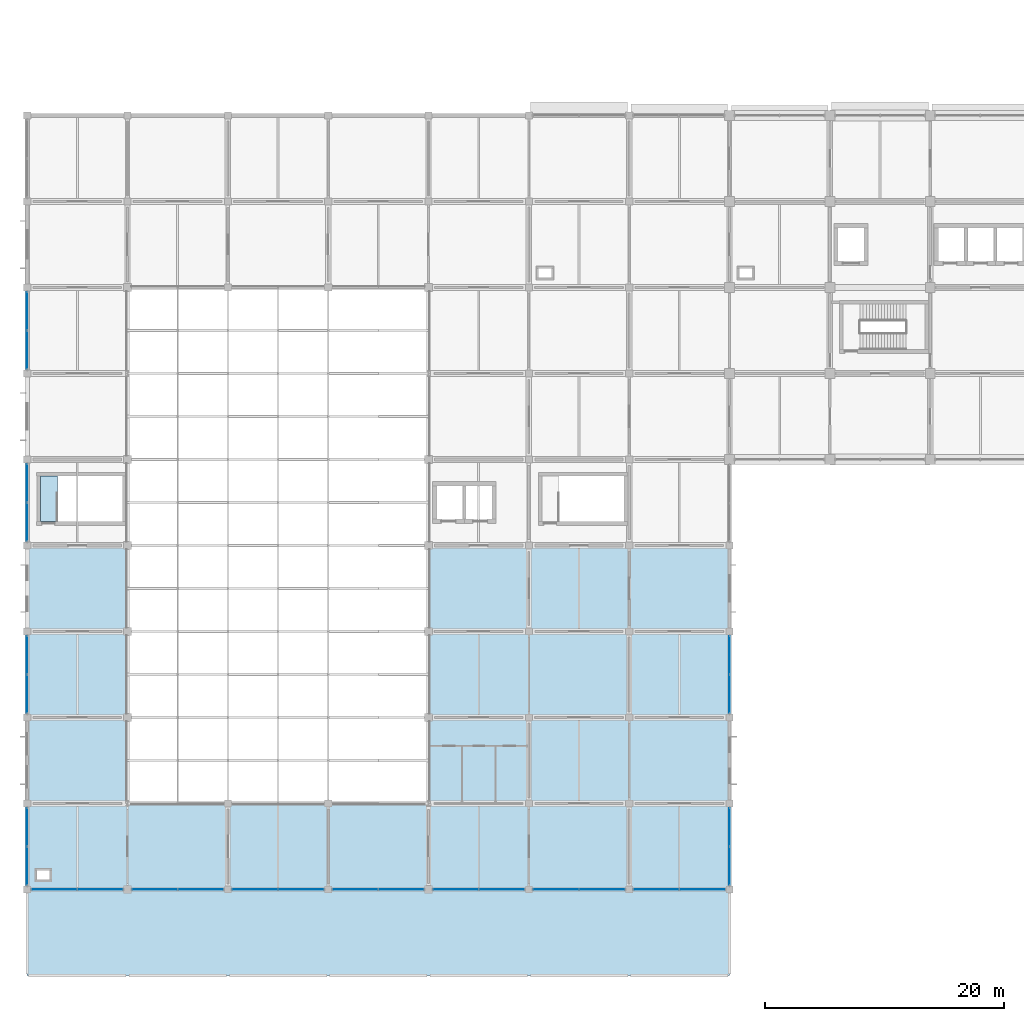
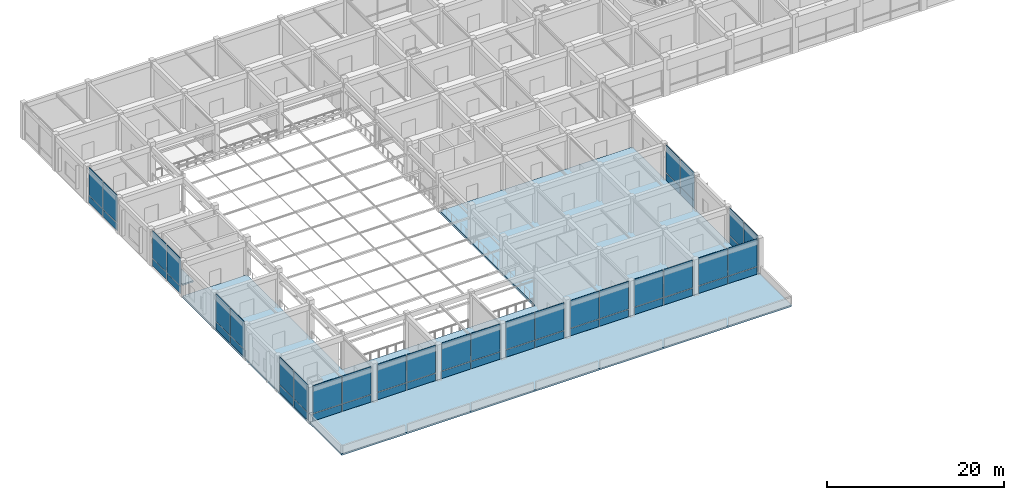
# One storey, part 20 of 38: 52 plates, 3 slabs, 13 elements without a shape of their own.
"""IFC4 building model written with IfcOpenShell, lengths in metres."""

from ifc_helpers import new_model, si_unit, derived_unit, direction, frame, origin, origin_2d, place, context, subcontext, project, spatial, polyline, rectangle, outline, extrude, material, layer, layer_set, type_object, element, aggregate, save


model = new_model("IFC4")

# Units and contexts
model_context = context("Model", 3, precision=1e-05, world=origin(), true_north=direction((0.0, 1.0)))
body_context = subcontext(model_context, "Body", "Model", "MODEL_VIEW")
ifc_project = project(units=[si_unit("LENGTHUNIT", "METRE"), si_unit("AREAUNIT", "SQUARE_METRE"), si_unit("VOLUMEUNIT", "CUBIC_METRE"), si_unit("PLANEANGLEUNIT", "RADIAN"), si_unit("MASSUNIT", "GRAM", prefix="KILO"), derived_unit("THERMALTRANSMITTANCEUNIT", [(si_unit("MASSUNIT", "GRAM", prefix="KILO"), 1), (si_unit("TIMEUNIT", "SECOND"), -3), (si_unit("THERMODYNAMICTEMPERATUREUNIT", "KELVIN"), -1)])], contexts=[model_context])

# Site, building, storey
site_placement = place(None, origin())
site = spatial("IfcSite", under=ifc_project, at=site_placement, CompositionType="ELEMENT")
building_placement = place(site_placement, origin())
building = spatial("IfcBuilding", under=site, at=building_placement, Name="Veldstrom Oceanarium and Marine Research Institute", CompositionType="ELEMENT")
storey_placement = place(building_placement, frame((0.0, 0.0, 16.800048828125)))
storey = spatial("IfcBuildingStorey", under=building, at=storey_placement, Name="L03", CompositionType="ELEMENT", Elevation=16.800048828125)

# Curtain wall, plates
ifc_material_1 = material(Name="Anodised Aluminium Framing", Category="aluminium")
curtain_wall_type_1 = type_object("IfcCurtainWallType", Name="ARC-CW-CW02", PredefinedType="USERDEFINED", material=ifc_material_1)
curtain_wall_1_placement = place(storey_placement, origin())
curtain_wall_1 = element("IfcCurtainWall", 1, at=curtain_wall_1_placement, inside=storey, type_object=curtain_wall_type_1, Name="Curtain Wall CW02 CW-L03-043", ObjectType="Curtain wall", PredefinedType="USERDEFINED")
ifc_material_2 = material(Name="Insulated Aluminium Spandrel", Category="aluminium")
ifc_layer_1 = layer(ifc_material_2, 0.044921875)
ifc_layer_set_1 = layer_set([ifc_layer_1], Name="ARC-PLT-CP02")
plate_type_1 = type_object("IfcPlateType", Name="ARC-PLT-CP02", PredefinedType="CURTAIN_PANEL", material=ifc_layer_set_1)
plate_1_placement = place(storey_placement, frame((10.663818359375, 7.199951171875, 0.02001953125), z_axis=(0.0, 0.0, 1.0), x_axis=(1.0, 0.0, 0.0)))
plate_1 = element("IfcPlate", 2, at=plate_1_placement, type_object=plate_type_1, Name="Curtain Spandrel Panel CW-L03-043-PNL-S1", PredefinedType="CURTAIN_PANEL", context=body_context, shape_type="SweptSolid", body=[
    extrude(rectangle(XDim=3.767578125, YDim=0.044921875, at=origin_2d()), origin(), (0.0, 0.0, 1.0), 0.989990234375),
])
plate_2_placement = place(storey_placement, frame((14.51123046875, 7.199951171875, 0.02001953125), z_axis=(0.0, 0.0, 1.0), x_axis=(1.0, 0.0, 0.0)))
plate_2 = element("IfcPlate", 3, at=plate_2_placement, type_object=plate_type_1, Name="Curtain Spandrel Panel CW-L03-043-PNL-S2", PredefinedType="CURTAIN_PANEL", context=body_context, shape_type="SweptSolid", body=[
    extrude(rectangle(XDim=3.767578125, YDim=0.044921875, at=origin_2d()), origin(), (0.0, 0.0, 1.0), 0.989990234375),
])

curtain_wall_2_placement = place(storey_placement, origin())
curtain_wall_2 = element("IfcCurtainWall", 4, at=curtain_wall_2_placement, inside=storey, type_object=curtain_wall_type_1, Name="Curtain Wall CW02 CW-L03-049", ObjectType="Curtain wall", PredefinedType="USERDEFINED")
plate_3_placement = place(storey_placement, frame((19.0888671875, 7.199951171875, 0.02001953125), z_axis=(0.0, 0.0, 1.0), x_axis=(1.0, 0.0, 0.0)))
plate_3 = element("IfcPlate", 5, at=plate_3_placement, type_object=plate_type_1, Name="Curtain Spandrel Panel CW-L03-049-PNL-S1", PredefinedType="CURTAIN_PANEL", context=body_context, shape_type="SweptSolid", body=[
    extrude(rectangle(XDim=3.767578125, YDim=0.044921875, at=origin_2d()), origin(), (0.0, 0.0, 1.0), 0.989990234375),
])
plate_4_placement = place(storey_placement, frame((22.936279296875, 7.199951171875, 0.02001953125), z_axis=(0.0, 0.0, 1.0), x_axis=(1.0, 0.0, 0.0)))
plate_4 = element("IfcPlate", 6, at=plate_4_placement, type_object=plate_type_1, Name="Curtain Spandrel Panel CW-L03-049-PNL-S2", PredefinedType="CURTAIN_PANEL", context=body_context, shape_type="SweptSolid", body=[
    extrude(rectangle(XDim=3.767578125, YDim=0.044921875, at=origin_2d()), origin(), (0.0, 0.0, 1.0), 0.989990234375),
])

curtain_wall_3_placement = place(storey_placement, origin())
curtain_wall_3 = element("IfcCurtainWall", 7, at=curtain_wall_3_placement, inside=storey, type_object=curtain_wall_type_1, Name="Curtain Wall CW02 CW-L03-050", ObjectType="Curtain wall", PredefinedType="USERDEFINED")
plate_5_placement = place(storey_placement, frame((27.469970703125, 7.199951171875, 0.02001953125), z_axis=(0.0, 0.0, 1.0), x_axis=(1.0, 0.0, 0.0)))
plate_5 = element("IfcPlate", 8, at=plate_5_placement, type_object=plate_type_1, Name="Curtain Spandrel Panel CW-L03-050-PNL-S1", PredefinedType="CURTAIN_PANEL", context=body_context, shape_type="SweptSolid", body=[
    extrude(rectangle(XDim=3.780029296875, YDim=0.044921875, at=origin_2d()), origin(), (0.0, 0.0, 1.0), 0.989990234375),
])
plate_6_placement = place(storey_placement, frame((31.330078125, 7.199951171875, 0.02001953125), z_axis=(0.0, 0.0, 1.0), x_axis=(1.0, 0.0, 0.0)))
plate_6 = element("IfcPlate", 9, at=plate_6_placement, type_object=plate_type_1, Name="Curtain Spandrel Panel CW-L03-050-PNL-S2", PredefinedType="CURTAIN_PANEL", context=body_context, shape_type="SweptSolid", body=[
    extrude(rectangle(XDim=3.780029296875, YDim=0.044921875, at=origin_2d()), origin(), (0.0, 0.0, 1.0), 0.989990234375),
])

curtain_wall_4_placement = place(storey_placement, origin())
curtain_wall_4 = element("IfcCurtainWall", 10, at=curtain_wall_4_placement, inside=storey, type_object=curtain_wall_type_1, Name="Curtain Wall CW02 CW-L03-051", ObjectType="Curtain wall", PredefinedType="USERDEFINED")
plate_7_placement = place(storey_placement, frame((35.86376953125, 7.199951171875, 0.02001953125), z_axis=(0.0, 0.0, 1.0), x_axis=(1.0, 0.0, 0.0)))
plate_7 = element("IfcPlate", 11, at=plate_7_placement, type_object=plate_type_1, Name="Curtain Spandrel Panel CW-L03-051-PNL-S1", PredefinedType="CURTAIN_PANEL", context=body_context, shape_type="SweptSolid", body=[
    extrude(rectangle(XDim=3.767578125, YDim=0.044921875, at=origin_2d()), origin(), (0.0, 0.0, 1.0), 0.989990234375),
])
plate_8_placement = place(storey_placement, frame((39.711181640625, 7.199951171875, 0.02001953125), z_axis=(0.0, 0.0, 1.0), x_axis=(1.0, 0.0, 0.0)))
plate_8 = element("IfcPlate", 12, at=plate_8_placement, type_object=plate_type_1, Name="Curtain Spandrel Panel CW-L03-051-PNL-S2", PredefinedType="CURTAIN_PANEL", context=body_context, shape_type="SweptSolid", body=[
    extrude(rectangle(XDim=3.767578125, YDim=0.044921875, at=origin_2d()), origin(), (0.0, 0.0, 1.0), 0.989990234375),
])

curtain_wall_5_placement = place(storey_placement, origin())
curtain_wall_5 = element("IfcCurtainWall", 13, at=curtain_wall_5_placement, inside=storey, type_object=curtain_wall_type_1, Name="Curtain Wall CW02 CW-L03-052", ObjectType="Curtain wall", PredefinedType="USERDEFINED")
plate_9_placement = place(storey_placement, frame((44.288818359375, 7.199951171875, 0.02001953125), z_axis=(0.0, 0.0, 1.0), x_axis=(1.0, 0.0, 0.0)))
plate_9 = element("IfcPlate", 14, at=plate_9_placement, type_object=plate_type_1, Name="Curtain Spandrel Panel CW-L03-052-PNL-S1", PredefinedType="CURTAIN_PANEL", context=body_context, shape_type="SweptSolid", body=[
    extrude(rectangle(XDim=3.767578125, YDim=0.044921875, at=origin_2d()), origin(), (0.0, 0.0, 1.0), 0.989990234375),
])
plate_10_placement = place(storey_placement, frame((48.13623046875, 7.199951171875, 0.02001953125), z_axis=(0.0, 0.0, 1.0), x_axis=(1.0, 0.0, 0.0)))
plate_10 = element("IfcPlate", 15, at=plate_10_placement, type_object=plate_type_1, Name="Curtain Spandrel Panel CW-L03-052-PNL-S2", PredefinedType="CURTAIN_PANEL", context=body_context, shape_type="SweptSolid", body=[
    extrude(rectangle(XDim=3.767578125, YDim=0.044921875, at=origin_2d()), origin(), (0.0, 0.0, 1.0), 0.989990234375),
])

curtain_wall_6_placement = place(storey_placement, origin())
curtain_wall_6 = element("IfcCurtainWall", 16, at=curtain_wall_6_placement, inside=storey, type_object=curtain_wall_type_1, Name="Curtain Wall CW02 CW-L03-053", ObjectType="Curtain wall", PredefinedType="USERDEFINED")
plate_11_placement = place(storey_placement, frame((52.669921875, 7.199951171875, 0.02001953125), z_axis=(0.0, 0.0, 1.0), x_axis=(1.0, 0.0, 0.0)))
plate_11 = element("IfcPlate", 17, at=plate_11_placement, type_object=plate_type_1, Name="Curtain Spandrel Panel CW-L03-053-PNL-S1", PredefinedType="CURTAIN_PANEL", context=body_context, shape_type="SweptSolid", body=[
    extrude(rectangle(XDim=3.780029296875, YDim=0.044921875, at=origin_2d()), origin(), (0.0, 0.0, 1.0), 0.989990234375),
])
plate_12_placement = place(storey_placement, frame((56.530029296875, 7.199951171875, 0.02001953125), z_axis=(0.0, 0.0, 1.0), x_axis=(1.0, 0.0, 0.0)))
plate_12 = element("IfcPlate", 18, at=plate_12_placement, type_object=plate_type_1, Name="Curtain Spandrel Panel CW-L03-053-PNL-S2", PredefinedType="CURTAIN_PANEL", context=body_context, shape_type="SweptSolid", body=[
    extrude(rectangle(XDim=3.780029296875, YDim=0.044921875, at=origin_2d()), origin(), (0.0, 0.0, 1.0), 0.989990234375),
])

curtain_wall_7_placement = place(storey_placement, origin())
curtain_wall_7 = element("IfcCurtainWall", 19, at=curtain_wall_7_placement, inside=storey, type_object=curtain_wall_type_1, Name="Curtain Wall CW02 CW-L03-055", ObjectType="Curtain wall", PredefinedType="USERDEFINED")
plate_13_placement = place(storey_placement, frame((61.070068359375, 7.199951171875, 0.02001953125), z_axis=(0.0, 0.0, 1.0), x_axis=(1.0, 0.0, 0.0)))
plate_13 = element("IfcPlate", 20, at=plate_13_placement, type_object=plate_type_1, Name="Curtain Spandrel Panel CW-L03-055-PNL-S1", PredefinedType="CURTAIN_PANEL", context=body_context, shape_type="SweptSolid", body=[
    extrude(rectangle(XDim=3.780029296875, YDim=0.044921875, at=origin_2d()), origin(), (0.0, 0.0, 1.0), 0.989990234375),
])
plate_14_placement = place(storey_placement, frame((64.929931640625, 7.199951171875, 0.02001953125), z_axis=(0.0, 0.0, 1.0), x_axis=(1.0, 0.0, 0.0)))
plate_14 = element("IfcPlate", 21, at=plate_14_placement, type_object=plate_type_1, Name="Curtain Spandrel Panel CW-L03-055-PNL-S2", PredefinedType="CURTAIN_PANEL", context=body_context, shape_type="SweptSolid", body=[
    extrude(rectangle(XDim=3.780029296875, YDim=0.044921875, at=origin_2d()), origin(), (0.0, 0.0, 1.0), 0.989990234375),
])

ifc_material_3 = material(Name="Anodised Aluminium Framing", Category="aluminium")
curtain_wall_type_2 = type_object("IfcCurtainWallType", Name="ARC-CW-CW06", PredefinedType="USERDEFINED", material=ifc_material_3)
curtain_wall_8_placement = place(storey_placement, origin())
curtain_wall_8 = element("IfcCurtainWall", 22, at=curtain_wall_8_placement, inside=storey, type_object=curtain_wall_type_2, Name="Curtain Wall CW06 CW-L03-044", ObjectType="Curtain wall", PredefinedType="USERDEFINED")
ifc_material_4 = material(Name="Insulated Aluminium Spandrel", Category="aluminium")
ifc_layer_2 = layer(ifc_material_4, 0.044921875)
ifc_layer_set_2 = layer_set([ifc_layer_2], Name="ARC-PLT-CP06")
plate_type_2 = type_object("IfcPlateType", Name="ARC-PLT-CP06", PredefinedType="CURTAIN_PANEL", material=ifc_layer_set_2)
plate_15_placement = place(storey_placement, frame((8.39990234375, 9.169921875, 0.02001953125), z_axis=(0.0, 0.0, 1.0), x_axis=(0.0, 1.0, 0.0)))
plate_15 = element("IfcPlate", 23, at=plate_15_placement, type_object=plate_type_2, Name="Curtain Spandrel Panel CW-L03-044-PNL-S1", PredefinedType="CURTAIN_PANEL", context=body_context, shape_type="SweptSolid", body=[
    extrude(rectangle(XDim=3.179931640625, YDim=0.044921875, at=origin_2d()), origin(), (0.0, 0.0, 1.0), 0.989990234375),
])
plate_16_placement = place(storey_placement, frame((8.39990234375, 12.429931640625, 0.02001953125), z_axis=(0.0, 0.0, 1.0), x_axis=(0.0, 1.0, 0.0)))
plate_16 = element("IfcPlate", 24, at=plate_16_placement, type_object=plate_type_2, Name="Curtain Spandrel Panel CW-L03-044-PNL-S2", PredefinedType="CURTAIN_PANEL", context=body_context, shape_type="SweptSolid", body=[
    extrude(rectangle(XDim=3.179931640625, YDim=0.044921875, at=origin_2d()), origin(), (0.0, 0.0, 1.0), 0.989990234375),
])

curtain_wall_9_placement = place(storey_placement, origin())
curtain_wall_9 = element("IfcCurtainWall", 25, at=curtain_wall_9_placement, inside=storey, type_object=curtain_wall_type_2, Name="Curtain Wall CW06 CW-L03-045", ObjectType="Curtain wall", PredefinedType="USERDEFINED")
plate_17_placement = place(storey_placement, frame((8.39990234375, 23.570068359375, 0.02001953125), z_axis=(0.0, 0.0, 1.0), x_axis=(0.0, 1.0, 0.0)))
plate_17 = element("IfcPlate", 26, at=plate_17_placement, type_object=plate_type_2, Name="Curtain Spandrel Panel CW-L03-045-PNL-S1", PredefinedType="CURTAIN_PANEL", context=body_context, shape_type="SweptSolid", body=[
    extrude(rectangle(XDim=3.179931640625, YDim=0.044921875, at=origin_2d()), origin(), (0.0, 0.0, 1.0), 0.989990234375),
])
plate_18_placement = place(storey_placement, frame((8.39990234375, 26.830078125, 0.02001953125), z_axis=(0.0, 0.0, 1.0), x_axis=(0.0, 1.0, 0.0)))
plate_18 = element("IfcPlate", 27, at=plate_18_placement, type_object=plate_type_2, Name="Curtain Spandrel Panel CW-L03-045-PNL-S2", PredefinedType="CURTAIN_PANEL", context=body_context, shape_type="SweptSolid", body=[
    extrude(rectangle(XDim=3.179931640625, YDim=0.044921875, at=origin_2d()), origin(), (0.0, 0.0, 1.0), 0.989990234375),
])

curtain_wall_10_placement = place(storey_placement, origin())
curtain_wall_10 = element("IfcCurtainWall", 28, at=curtain_wall_10_placement, inside=storey, type_object=curtain_wall_type_2, Name="Curtain Wall CW06 CW-L03-046", ObjectType="Curtain wall", PredefinedType="USERDEFINED")
plate_19_placement = place(storey_placement, frame((8.39990234375, 37.969970703125, 0.02001953125), z_axis=(0.0, 0.0, 1.0), x_axis=(0.0, 1.0, 0.0)))
plate_19 = element("IfcPlate", 29, at=plate_19_placement, type_object=plate_type_2, Name="Curtain Spandrel Panel CW-L03-046-PNL-S1", PredefinedType="CURTAIN_PANEL", context=body_context, shape_type="SweptSolid", body=[
    extrude(rectangle(XDim=3.179931640625, YDim=0.044921875, at=origin_2d()), origin(), (0.0, 0.0, 1.0), 0.989990234375),
])
plate_20_placement = place(storey_placement, frame((8.39990234375, 41.22998046875, 0.02001953125), z_axis=(0.0, 0.0, 1.0), x_axis=(0.0, 1.0, 0.0)))
plate_20 = element("IfcPlate", 30, at=plate_20_placement, type_object=plate_type_2, Name="Curtain Spandrel Panel CW-L03-046-PNL-S2", PredefinedType="CURTAIN_PANEL", context=body_context, shape_type="SweptSolid", body=[
    extrude(rectangle(XDim=3.179931640625, YDim=0.044921875, at=origin_2d()), origin(), (0.0, 0.0, 1.0), 0.989990234375),
])

curtain_wall_11_placement = place(storey_placement, origin())
curtain_wall_11 = element("IfcCurtainWall", 31, at=curtain_wall_11_placement, inside=storey, type_object=curtain_wall_type_2, Name="Curtain Wall CW06 CW-L03-047", ObjectType="Curtain wall", PredefinedType="USERDEFINED")
plate_21_placement = place(storey_placement, frame((8.39990234375, 52.3701171875, 0.02001953125), z_axis=(0.0, 0.0, 1.0), x_axis=(0.0, 1.0, 0.0)))
plate_21 = element("IfcPlate", 32, at=plate_21_placement, type_object=plate_type_2, Name="Curtain Spandrel Panel CW-L03-047-PNL-S1", PredefinedType="CURTAIN_PANEL", context=body_context, shape_type="SweptSolid", body=[
    extrude(rectangle(XDim=3.179931640625, YDim=0.044921875, at=origin_2d()), origin(), (0.0, 0.0, 1.0), 0.989990234375),
])
plate_22_placement = place(storey_placement, frame((8.39990234375, 55.6298828125, 0.02001953125), z_axis=(0.0, 0.0, 1.0), x_axis=(0.0, 1.0, 0.0)))
plate_22 = element("IfcPlate", 33, at=plate_22_placement, type_object=plate_type_2, Name="Curtain Spandrel Panel CW-L03-047-PNL-S2", PredefinedType="CURTAIN_PANEL", context=body_context, shape_type="SweptSolid", body=[
    extrude(rectangle(XDim=3.179931640625, YDim=0.044921875, at=origin_2d()), origin(), (0.0, 0.0, 1.0), 0.989990234375),
])

curtain_wall_12_placement = place(storey_placement, origin())
curtain_wall_12 = element("IfcCurtainWall", 34, at=curtain_wall_12_placement, inside=storey, type_object=curtain_wall_type_2, Name="Curtain Wall CW06 CW-L03-056", ObjectType="Curtain wall", PredefinedType="USERDEFINED")
plate_23_placement = place(storey_placement, frame((67.199951171875, 9.169921875, 0.02001953125), z_axis=(0.0, 0.0, 1.0), x_axis=(0.0, 1.0, 0.0)))
plate_23 = element("IfcPlate", 35, at=plate_23_placement, type_object=plate_type_2, Name="Curtain Spandrel Panel CW-L03-056-PNL-S1", PredefinedType="CURTAIN_PANEL", context=body_context, shape_type="SweptSolid", body=[
    extrude(rectangle(XDim=3.179931640625, YDim=0.044921875, at=origin_2d()), origin(), (0.0, 0.0, 1.0), 0.989990234375),
])
plate_24_placement = place(storey_placement, frame((67.199951171875, 12.429931640625, 0.02001953125), z_axis=(0.0, 0.0, 1.0), x_axis=(0.0, 1.0, 0.0)))
plate_24 = element("IfcPlate", 36, at=plate_24_placement, type_object=plate_type_2, Name="Curtain Spandrel Panel CW-L03-056-PNL-S2", PredefinedType="CURTAIN_PANEL", context=body_context, shape_type="SweptSolid", body=[
    extrude(rectangle(XDim=3.179931640625, YDim=0.044921875, at=origin_2d()), origin(), (0.0, 0.0, 1.0), 0.989990234375),
])

curtain_wall_13_placement = place(storey_placement, origin())
curtain_wall_13 = element("IfcCurtainWall", 37, at=curtain_wall_13_placement, inside=storey, type_object=curtain_wall_type_2, Name="Curtain Wall CW06 CW-L03-057", ObjectType="Curtain wall", PredefinedType="USERDEFINED")
plate_25_placement = place(storey_placement, frame((67.199951171875, 23.570068359375, 0.02001953125), z_axis=(0.0, 0.0, 1.0), x_axis=(0.0, 1.0, 0.0)))
plate_25 = element("IfcPlate", 38, at=plate_25_placement, type_object=plate_type_2, Name="Curtain Spandrel Panel CW-L03-057-PNL-S1", PredefinedType="CURTAIN_PANEL", context=body_context, shape_type="SweptSolid", body=[
    extrude(rectangle(XDim=3.179931640625, YDim=0.044921875, at=origin_2d()), origin(), (0.0, 0.0, 1.0), 0.989990234375),
])
plate_26_placement = place(storey_placement, frame((67.199951171875, 26.830078125, 0.02001953125), z_axis=(0.0, 0.0, 1.0), x_axis=(0.0, 1.0, 0.0)))
plate_26 = element("IfcPlate", 39, at=plate_26_placement, type_object=plate_type_2, Name="Curtain Spandrel Panel CW-L03-057-PNL-S2", PredefinedType="CURTAIN_PANEL", context=body_context, shape_type="SweptSolid", body=[
    extrude(rectangle(XDim=3.179931640625, YDim=0.044921875, at=origin_2d()), origin(), (0.0, 0.0, 1.0), 0.989990234375),
])

# Plate
ifc_material_5 = material(Name="Double Glazed Low-E IGU", Category="glass")
ifc_layer_3 = layer(ifc_material_5, 0.035888671875)
ifc_layer_set_3 = layer_set([ifc_layer_3], Name="ARC-PLT-CP09")
plate_type_3 = type_object("IfcPlateType", Name="ARC-PLT-CP09", PredefinedType="CURTAIN_PANEL", material=ifc_layer_set_3)
plate_27_placement = place(storey_placement, frame((10.663818359375, 7.199951171875, 1.08984375), z_axis=(0.0, 0.0, 1.0), x_axis=(1.0, 0.0, 0.0)))
plate_27 = element("IfcPlate", 40, at=plate_27_placement, type_object=plate_type_3, Name="Curtain Vision Panel CW-L03-043-PNL-V1", PredefinedType="CURTAIN_PANEL", context=body_context, shape_type="SweptSolid", body=[
    extrude(rectangle(XDim=3.767578125, YDim=0.035888671875, at=origin_2d()), origin(), (0.0, 0.0, 1.0), 3.840087890625),
])

plate_28_placement = place(storey_placement, frame((14.51123046875, 7.199951171875, 1.08984375), z_axis=(0.0, 0.0, 1.0), x_axis=(1.0, 0.0, 0.0)))
plate_28 = element("IfcPlate", 41, at=plate_28_placement, type_object=plate_type_3, Name="Curtain Vision Panel CW-L03-043-PNL-V2", PredefinedType="CURTAIN_PANEL", context=body_context, shape_type="SweptSolid", body=[
    extrude(rectangle(XDim=3.767578125, YDim=0.035888671875, at=origin_2d()), origin(), (0.0, 0.0, 1.0), 3.840087890625),
])

aggregate(curtain_wall_1, [plate_1, plate_27, plate_2, plate_28])

plate_29_placement = place(storey_placement, frame((19.0888671875, 7.199951171875, 1.08984375), z_axis=(0.0, 0.0, 1.0), x_axis=(1.0, 0.0, 0.0)))
plate_29 = element("IfcPlate", 42, at=plate_29_placement, type_object=plate_type_3, Name="Curtain Vision Panel CW-L03-049-PNL-V1", PredefinedType="CURTAIN_PANEL", context=body_context, shape_type="SweptSolid", body=[
    extrude(rectangle(XDim=3.767578125, YDim=0.035888671875, at=origin_2d()), origin(), (0.0, 0.0, 1.0), 3.840087890625),
])

plate_30_placement = place(storey_placement, frame((22.936279296875, 7.199951171875, 1.08984375), z_axis=(0.0, 0.0, 1.0), x_axis=(1.0, 0.0, 0.0)))
plate_30 = element("IfcPlate", 43, at=plate_30_placement, type_object=plate_type_3, Name="Curtain Vision Panel CW-L03-049-PNL-V2", PredefinedType="CURTAIN_PANEL", context=body_context, shape_type="SweptSolid", body=[
    extrude(rectangle(XDim=3.767578125, YDim=0.035888671875, at=origin_2d()), origin(), (0.0, 0.0, 1.0), 3.840087890625),
])

aggregate(curtain_wall_2, [plate_3, plate_29, plate_4, plate_30])

plate_31_placement = place(storey_placement, frame((27.469970703125, 7.199951171875, 1.08984375), z_axis=(0.0, 0.0, 1.0), x_axis=(1.0, 0.0, 0.0)))
plate_31 = element("IfcPlate", 44, at=plate_31_placement, type_object=plate_type_3, Name="Curtain Vision Panel CW-L03-050-PNL-V1", PredefinedType="CURTAIN_PANEL", context=body_context, shape_type="SweptSolid", body=[
    extrude(rectangle(XDim=3.780029296875, YDim=0.035888671875, at=origin_2d()), origin(), (0.0, 0.0, 1.0), 3.840087890625),
])

plate_32_placement = place(storey_placement, frame((31.330078125, 7.199951171875, 1.08984375), z_axis=(0.0, 0.0, 1.0), x_axis=(1.0, 0.0, 0.0)))
plate_32 = element("IfcPlate", 45, at=plate_32_placement, type_object=plate_type_3, Name="Curtain Vision Panel CW-L03-050-PNL-V2", PredefinedType="CURTAIN_PANEL", context=body_context, shape_type="SweptSolid", body=[
    extrude(rectangle(XDim=3.780029296875, YDim=0.035888671875, at=origin_2d()), origin(), (0.0, 0.0, 1.0), 3.840087890625),
])

aggregate(curtain_wall_3, [plate_5, plate_31, plate_6, plate_32])

plate_33_placement = place(storey_placement, frame((35.86376953125, 7.199951171875, 1.08984375), z_axis=(0.0, 0.0, 1.0), x_axis=(1.0, 0.0, 0.0)))
plate_33 = element("IfcPlate", 46, at=plate_33_placement, type_object=plate_type_3, Name="Curtain Vision Panel CW-L03-051-PNL-V1", PredefinedType="CURTAIN_PANEL", context=body_context, shape_type="SweptSolid", body=[
    extrude(rectangle(XDim=3.767578125, YDim=0.035888671875, at=origin_2d()), origin(), (0.0, 0.0, 1.0), 3.840087890625),
])

plate_34_placement = place(storey_placement, frame((39.711181640625, 7.199951171875, 1.08984375), z_axis=(0.0, 0.0, 1.0), x_axis=(1.0, 0.0, 0.0)))
plate_34 = element("IfcPlate", 47, at=plate_34_placement, type_object=plate_type_3, Name="Curtain Vision Panel CW-L03-051-PNL-V2", PredefinedType="CURTAIN_PANEL", context=body_context, shape_type="SweptSolid", body=[
    extrude(rectangle(XDim=3.767578125, YDim=0.035888671875, at=origin_2d()), origin(), (0.0, 0.0, 1.0), 3.840087890625),
])

aggregate(curtain_wall_4, [plate_7, plate_33, plate_8, plate_34])

plate_35_placement = place(storey_placement, frame((44.288818359375, 7.199951171875, 1.08984375), z_axis=(0.0, 0.0, 1.0), x_axis=(1.0, 0.0, 0.0)))
plate_35 = element("IfcPlate", 48, at=plate_35_placement, type_object=plate_type_3, Name="Curtain Vision Panel CW-L03-052-PNL-V1", PredefinedType="CURTAIN_PANEL", context=body_context, shape_type="SweptSolid", body=[
    extrude(rectangle(XDim=3.767578125, YDim=0.035888671875, at=origin_2d()), origin(), (0.0, 0.0, 1.0), 3.840087890625),
])

plate_36_placement = place(storey_placement, frame((48.13623046875, 7.199951171875, 1.08984375), z_axis=(0.0, 0.0, 1.0), x_axis=(1.0, 0.0, 0.0)))
plate_36 = element("IfcPlate", 49, at=plate_36_placement, type_object=plate_type_3, Name="Curtain Vision Panel CW-L03-052-PNL-V2", PredefinedType="CURTAIN_PANEL", context=body_context, shape_type="SweptSolid", body=[
    extrude(rectangle(XDim=3.767578125, YDim=0.035888671875, at=origin_2d()), origin(), (0.0, 0.0, 1.0), 3.840087890625),
])

aggregate(curtain_wall_5, [plate_9, plate_35, plate_10, plate_36])

plate_37_placement = place(storey_placement, frame((52.669921875, 7.199951171875, 1.08984375), z_axis=(0.0, 0.0, 1.0), x_axis=(1.0, 0.0, 0.0)))
plate_37 = element("IfcPlate", 50, at=plate_37_placement, type_object=plate_type_3, Name="Curtain Vision Panel CW-L03-053-PNL-V1", PredefinedType="CURTAIN_PANEL", context=body_context, shape_type="SweptSolid", body=[
    extrude(rectangle(XDim=3.780029296875, YDim=0.035888671875, at=origin_2d()), origin(), (0.0, 0.0, 1.0), 3.840087890625),
])

plate_38_placement = place(storey_placement, frame((56.530029296875, 7.199951171875, 1.08984375), z_axis=(0.0, 0.0, 1.0), x_axis=(1.0, 0.0, 0.0)))
plate_38 = element("IfcPlate", 51, at=plate_38_placement, type_object=plate_type_3, Name="Curtain Vision Panel CW-L03-053-PNL-V2", PredefinedType="CURTAIN_PANEL", context=body_context, shape_type="SweptSolid", body=[
    extrude(rectangle(XDim=3.780029296875, YDim=0.035888671875, at=origin_2d()), origin(), (0.0, 0.0, 1.0), 3.840087890625),
])

aggregate(curtain_wall_6, [plate_11, plate_37, plate_12, plate_38])

plate_39_placement = place(storey_placement, frame((61.070068359375, 7.199951171875, 1.08984375), z_axis=(0.0, 0.0, 1.0), x_axis=(1.0, 0.0, 0.0)))
plate_39 = element("IfcPlate", 52, at=plate_39_placement, type_object=plate_type_3, Name="Curtain Vision Panel CW-L03-055-PNL-V1", PredefinedType="CURTAIN_PANEL", context=body_context, shape_type="SweptSolid", body=[
    extrude(rectangle(XDim=3.780029296875, YDim=0.035888671875, at=origin_2d()), origin(), (0.0, 0.0, 1.0), 3.840087890625),
])

plate_40_placement = place(storey_placement, frame((64.929931640625, 7.199951171875, 1.08984375), z_axis=(0.0, 0.0, 1.0), x_axis=(1.0, 0.0, 0.0)))
plate_40 = element("IfcPlate", 53, at=plate_40_placement, type_object=plate_type_3, Name="Curtain Vision Panel CW-L03-055-PNL-V2", PredefinedType="CURTAIN_PANEL", context=body_context, shape_type="SweptSolid", body=[
    extrude(rectangle(XDim=3.780029296875, YDim=0.035888671875, at=origin_2d()), origin(), (0.0, 0.0, 1.0), 3.840087890625),
])

aggregate(curtain_wall_7, [plate_13, plate_39, plate_14, plate_40])

ifc_material_6 = material(Name="Double Glazed Low-E IGU", Category="glass")
ifc_layer_4 = layer(ifc_material_6, 0.035888671875)
ifc_layer_set_4 = layer_set([ifc_layer_4], Name="ARC-PLT-CP10")
plate_type_4 = type_object("IfcPlateType", Name="ARC-PLT-CP10", PredefinedType="CURTAIN_PANEL", material=ifc_layer_set_4)
plate_41_placement = place(storey_placement, frame((8.39990234375, 9.169921875, 1.08984375), z_axis=(0.0, 0.0, 1.0), x_axis=(0.0, 1.0, 0.0)))
plate_41 = element("IfcPlate", 54, at=plate_41_placement, type_object=plate_type_4, Name="Curtain Vision Panel CW-L03-044-PNL-V1", PredefinedType="CURTAIN_PANEL", context=body_context, shape_type="SweptSolid", body=[
    extrude(rectangle(XDim=3.179931640625, YDim=0.035888671875, at=origin_2d()), origin(), (0.0, 0.0, 1.0), 3.840087890625),
])

plate_42_placement = place(storey_placement, frame((8.39990234375, 12.429931640625, 1.08984375), z_axis=(0.0, 0.0, 1.0), x_axis=(0.0, 1.0, 0.0)))
plate_42 = element("IfcPlate", 55, at=plate_42_placement, type_object=plate_type_4, Name="Curtain Vision Panel CW-L03-044-PNL-V2", PredefinedType="CURTAIN_PANEL", context=body_context, shape_type="SweptSolid", body=[
    extrude(rectangle(XDim=3.179931640625, YDim=0.035888671875, at=origin_2d()), origin(), (0.0, 0.0, 1.0), 3.840087890625),
])

aggregate(curtain_wall_8, [plate_15, plate_41, plate_16, plate_42])

plate_43_placement = place(storey_placement, frame((8.39990234375, 23.570068359375, 1.08984375), z_axis=(0.0, 0.0, 1.0), x_axis=(0.0, 1.0, 0.0)))
plate_43 = element("IfcPlate", 56, at=plate_43_placement, type_object=plate_type_4, Name="Curtain Vision Panel CW-L03-045-PNL-V1", PredefinedType="CURTAIN_PANEL", context=body_context, shape_type="SweptSolid", body=[
    extrude(rectangle(XDim=3.179931640625, YDim=0.035888671875, at=origin_2d()), origin(), (0.0, 0.0, 1.0), 3.840087890625),
])

plate_44_placement = place(storey_placement, frame((8.39990234375, 26.830078125, 1.08984375), z_axis=(0.0, 0.0, 1.0), x_axis=(0.0, 1.0, 0.0)))
plate_44 = element("IfcPlate", 57, at=plate_44_placement, type_object=plate_type_4, Name="Curtain Vision Panel CW-L03-045-PNL-V2", PredefinedType="CURTAIN_PANEL", context=body_context, shape_type="SweptSolid", body=[
    extrude(rectangle(XDim=3.179931640625, YDim=0.035888671875, at=origin_2d()), origin(), (0.0, 0.0, 1.0), 3.840087890625),
])

aggregate(curtain_wall_9, [plate_17, plate_43, plate_18, plate_44])

plate_45_placement = place(storey_placement, frame((8.39990234375, 37.969970703125, 1.08984375), z_axis=(0.0, 0.0, 1.0), x_axis=(0.0, 1.0, 0.0)))
plate_45 = element("IfcPlate", 58, at=plate_45_placement, type_object=plate_type_4, Name="Curtain Vision Panel CW-L03-046-PNL-V1", PredefinedType="CURTAIN_PANEL", context=body_context, shape_type="SweptSolid", body=[
    extrude(rectangle(XDim=3.179931640625, YDim=0.035888671875, at=origin_2d()), origin(), (0.0, 0.0, 1.0), 3.840087890625),
])

plate_46_placement = place(storey_placement, frame((8.39990234375, 41.22998046875, 1.08984375), z_axis=(0.0, 0.0, 1.0), x_axis=(0.0, 1.0, 0.0)))
plate_46 = element("IfcPlate", 59, at=plate_46_placement, type_object=plate_type_4, Name="Curtain Vision Panel CW-L03-046-PNL-V2", PredefinedType="CURTAIN_PANEL", context=body_context, shape_type="SweptSolid", body=[
    extrude(rectangle(XDim=3.179931640625, YDim=0.035888671875, at=origin_2d()), origin(), (0.0, 0.0, 1.0), 3.840087890625),
])

aggregate(curtain_wall_10, [plate_19, plate_45, plate_20, plate_46])

plate_47_placement = place(storey_placement, frame((8.39990234375, 52.3701171875, 1.08984375), z_axis=(0.0, 0.0, 1.0), x_axis=(0.0, 1.0, 0.0)))
plate_47 = element("IfcPlate", 60, at=plate_47_placement, type_object=plate_type_4, Name="Curtain Vision Panel CW-L03-047-PNL-V1", PredefinedType="CURTAIN_PANEL", context=body_context, shape_type="SweptSolid", body=[
    extrude(rectangle(XDim=3.179931640625, YDim=0.035888671875, at=origin_2d()), origin(), (0.0, 0.0, 1.0), 3.840087890625),
])

plate_48_placement = place(storey_placement, frame((8.39990234375, 55.6298828125, 1.08984375), z_axis=(0.0, 0.0, 1.0), x_axis=(0.0, 1.0, 0.0)))
plate_48 = element("IfcPlate", 61, at=plate_48_placement, type_object=plate_type_4, Name="Curtain Vision Panel CW-L03-047-PNL-V2", PredefinedType="CURTAIN_PANEL", context=body_context, shape_type="SweptSolid", body=[
    extrude(rectangle(XDim=3.179931640625, YDim=0.035888671875, at=origin_2d()), origin(), (0.0, 0.0, 1.0), 3.840087890625),
])

aggregate(curtain_wall_11, [plate_21, plate_47, plate_22, plate_48])

plate_49_placement = place(storey_placement, frame((67.199951171875, 9.169921875, 1.08984375), z_axis=(0.0, 0.0, 1.0), x_axis=(0.0, 1.0, 0.0)))
plate_49 = element("IfcPlate", 62, at=plate_49_placement, type_object=plate_type_4, Name="Curtain Vision Panel CW-L03-056-PNL-V1", PredefinedType="CURTAIN_PANEL", context=body_context, shape_type="SweptSolid", body=[
    extrude(rectangle(XDim=3.179931640625, YDim=0.035888671875, at=origin_2d()), origin(), (0.0, 0.0, 1.0), 3.840087890625),
])

plate_50_placement = place(storey_placement, frame((67.199951171875, 12.429931640625, 1.08984375), z_axis=(0.0, 0.0, 1.0), x_axis=(0.0, 1.0, 0.0)))
plate_50 = element("IfcPlate", 63, at=plate_50_placement, type_object=plate_type_4, Name="Curtain Vision Panel CW-L03-056-PNL-V2", PredefinedType="CURTAIN_PANEL", context=body_context, shape_type="SweptSolid", body=[
    extrude(rectangle(XDim=3.179931640625, YDim=0.035888671875, at=origin_2d()), origin(), (0.0, 0.0, 1.0), 3.840087890625),
])

aggregate(curtain_wall_12, [plate_23, plate_49, plate_24, plate_50])

plate_51_placement = place(storey_placement, frame((67.199951171875, 23.570068359375, 1.08984375), z_axis=(0.0, 0.0, 1.0), x_axis=(0.0, 1.0, 0.0)))
plate_51 = element("IfcPlate", 64, at=plate_51_placement, type_object=plate_type_4, Name="Curtain Vision Panel CW-L03-057-PNL-V1", PredefinedType="CURTAIN_PANEL", context=body_context, shape_type="SweptSolid", body=[
    extrude(rectangle(XDim=3.179931640625, YDim=0.035888671875, at=origin_2d()), origin(), (0.0, 0.0, 1.0), 3.840087890625),
])

plate_52_placement = place(storey_placement, frame((67.199951171875, 26.830078125, 1.08984375), z_axis=(0.0, 0.0, 1.0), x_axis=(0.0, 1.0, 0.0)))
plate_52 = element("IfcPlate", 65, at=plate_52_placement, type_object=plate_type_4, Name="Curtain Vision Panel CW-L03-057-PNL-V2", PredefinedType="CURTAIN_PANEL", context=body_context, shape_type="SweptSolid", body=[
    extrude(rectangle(XDim=3.179931640625, YDim=0.035888671875, at=origin_2d()), origin(), (0.0, 0.0, 1.0), 3.840087890625),
])

aggregate(curtain_wall_13, [plate_25, plate_51, plate_26, plate_52])

# Slabs
ifc_material_7 = material(Name="Concrete C40/50", Category="concrete")
ifc_layer_5 = layer(ifc_material_7, 0.300048828125)
ifc_layer_set_5 = layer_set([ifc_layer_5], Name="STR-SLB-FL0300")
slab_type_1 = type_object("IfcSlabType", Name="STR-SLB-FL0300", PredefinedType="FLOOR", material=ifc_layer_set_5)
slab_1_placement = place(storey_placement, frame((0.0, 0.0, -0.300048828125)))
element("IfcSlab", 66, at=slab_1_placement, inside=storey, type_object=slab_type_1, Name="Slab SF-300 L03 WS", PredefinedType="FLOOR", context=body_context, shape_type="SweptSolid", body=[
    extrude(outline(polyline([(33.60009765625, 7.199951171875), (25.199951171875, 7.199951171875), (16.800048828125, 7.199951171875), (8.39990234375, 7.199951171875), (8.39990234375, 14.39990234375), (8.39990234375, 21.60009765625), (8.39990234375, 28.800048828125), (8.39990234375, 36.0), (16.800048828125, 36.0), (16.800048828125, 28.800048828125), (16.800048828125, 21.60009765625), (16.800048828125, 14.39990234375), (25.199951171875, 14.39990234375), (33.60009765625, 14.39990234375), (42.0, 14.39990234375), (42.0, 21.60009765625), (42.0, 28.800048828125), (42.0, 36.0), (50.39990234375, 36.0), (58.800048828125, 36.0), (67.199951171875, 36.0), (67.199951171875, 28.800048828125), (67.199951171875, 21.60009765625), (67.199951171875, 14.39990234375), (67.199951171875, 7.199951171875), (58.800048828125, 7.199951171875), (50.39990234375, 7.199951171875), (42.0, 7.199951171875), (33.60009765625, 7.199951171875)]), holes=[polyline([(10.300048828125, 8.800048828125), (9.199951171875, 8.800048828125), (9.199951171875, 8.0), (10.300048828125, 8.0), (10.300048828125, 8.800048828125)])]), origin(), (0.0, 0.0, 1.0), 0.300048828125),
])
ifc_material_8 = material(Name="Concrete C40/50", Category="concrete")
ifc_layer_6 = layer(ifc_material_8, 0.199951171875)
ifc_layer_set_6 = layer_set([ifc_layer_6], Name="STR-SLB-LD200")
slab_type_2 = type_object("IfcSlabType", Name="STR-SLB-LD200", PredefinedType="LANDING", material=ifc_layer_set_6)
slab_2_placement = place(storey_placement, frame((0.0, 0.0, -0.199951171875)))
element("IfcSlab", 67, at=slab_2_placement, inside=storey, type_object=slab_type_2, Name="Stair Floor Landing ST3 L03", PredefinedType="LANDING", context=body_context, shape_type="SweptSolid", body=[
    extrude(outline(polyline([(9.52001953125, 38.0), (10.93994140625, 38.0), (10.93994140625, 41.800048828125), (9.52001953125, 41.800048828125), (9.52001953125, 38.0)])), origin(), (0.0, 0.0, 1.0), 0.199951171875),
])
ifc_material_9 = material(Name="Concrete C40/50", Category="concrete")
ifc_layer_7 = layer(ifc_material_9, 0.22509765625)
ifc_layer_set_7 = layer_set([ifc_layer_7], Name="STR-SLB-RF0225")
slab_type_3 = type_object("IfcSlabType", Name="STR-SLB-RF0225", PredefinedType="ROOF", material=ifc_layer_set_7)
slab_3_placement = place(storey_placement, frame((0.0, 0.0, -0.22509765625)))
element("IfcSlab", 68, at=slab_3_placement, inside=storey, type_object=slab_type_3, Name="Maintenance Roof Slab L02", PredefinedType="ROOF", context=body_context, shape_type="SweptSolid", body=[
    extrude(outline(polyline([(25.199951171875, 7.199951171875), (33.60009765625, 7.199951171875), (42.0, 7.199951171875), (50.39990234375, 7.199951171875), (58.800048828125, 7.199951171875), (67.199951171875, 7.199951171875), (67.199951171875, 0.0), (58.800048828125, 0.0), (50.39990234375, 0.0), (42.0, 0.0), (33.60009765625, 0.0), (25.199951171875, 0.0), (16.800048828125, 0.0), (8.39990234375, 0.0), (8.39990234375, 7.199951171875), (16.800048828125, 7.199951171875), (25.199951171875, 7.199951171875)])), origin(), (0.0, 0.0, 1.0), 0.22509765625),
])

save(model, "model.ifc")
